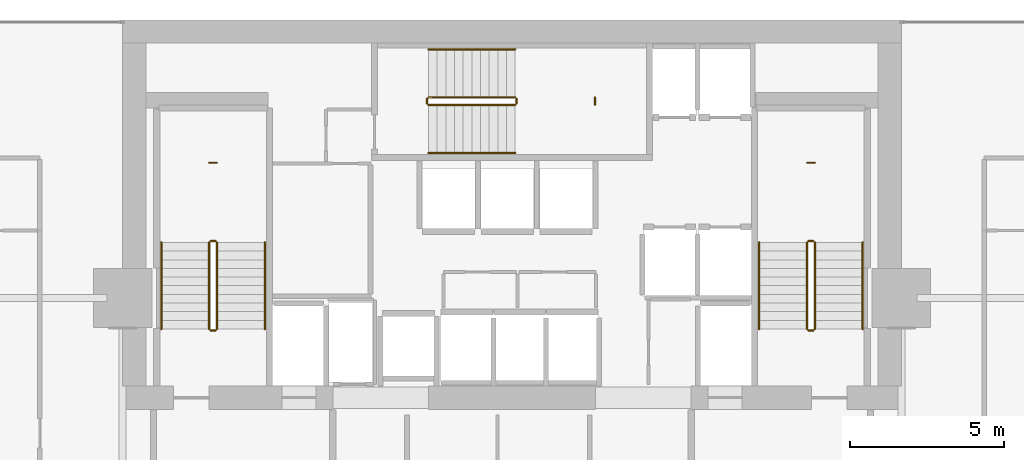
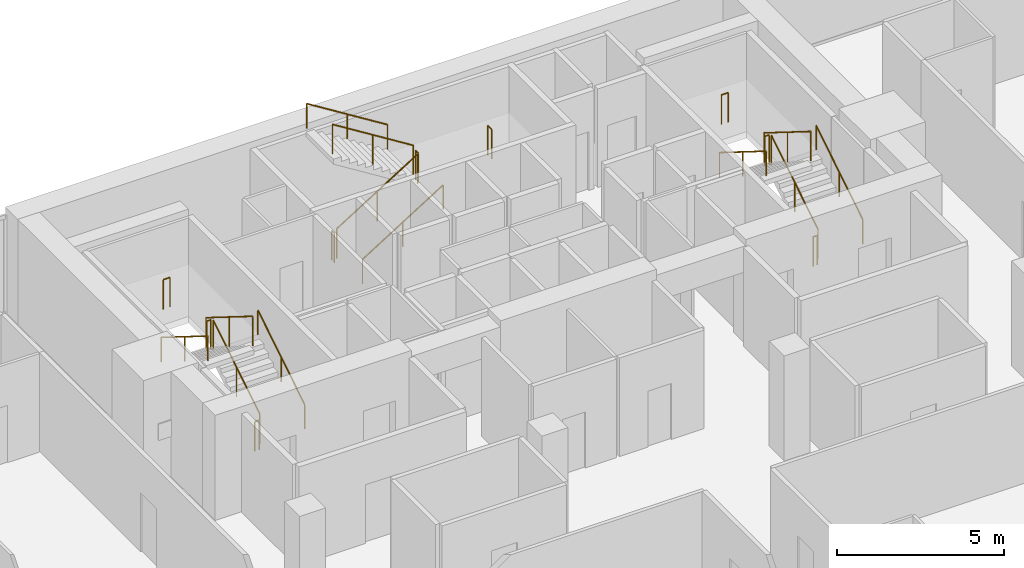
# One storey, part 33 of 33: 21 railings.
"""IFC4 building model written with IfcOpenShell, lengths in metres."""

from ifc_helpers import new_model, si_unit, direction, frame, origin, origin_2d, place, context, subcontext, project, spatial, circle, extrude, material, type_object, element, save


model = new_model("IFC4")

# Units and contexts
model_context = context("Model", 3, precision=1e-05, world=origin(), true_north=direction((0.0, 1.0)))
body_context = subcontext(model_context, "Body", "Model", "MODEL_VIEW")
ifc_project = project(units=[si_unit("LENGTHUNIT", "METRE"), si_unit("AREAUNIT", "SQUARE_METRE"), si_unit("VOLUMEUNIT", "CUBIC_METRE"), si_unit("PLANEANGLEUNIT", "RADIAN"), si_unit("MASSUNIT", "GRAM", prefix="KILO")], contexts=[model_context])

# Site, building, storey
site_placement = place(None, origin())
site = spatial("IfcSite", under=ifc_project, at=site_placement, CompositionType="ELEMENT")
building_placement = place(site_placement, origin())
building = spatial("IfcBuilding", under=site, at=building_placement, Name="Maruvema Waterfront Hotel and Observation Tower", CompositionType="ELEMENT")
storey_placement = place(building_placement, frame((0.0, 0.0, 169.75)))
storey = spatial("IfcBuildingStorey", under=building, at=storey_placement, Name="L41", CompositionType="ELEMENT", Elevation=169.75)

# Railings
ifc_material_1 = material(Name="Brushed stainless steel Grade 316", Category="steel")
railing_type_1 = type_object("IfcRailingType", Name="Ramp Continuous Wall Handrail 920 mm", PredefinedType="HANDRAIL", material=ifc_material_1)
railing_1_placement = place(storey_placement, frame((29.800048828125, 44.0, 0.175048828125)))
element("IfcRailing", 1, at=railing_1_placement, inside=storey, type_object=railing_type_1, Name="L41 ST-01 stair handrail 1", PredefinedType="HANDRAIL", context=body_context, shape_type="SweptSolid", body=[
    extrude(circle(Radius=0.02392578125, at=origin_2d()), frame((0.0, 0.0, 0.89599609375), z_axis=(0.0, 0.848002457836, 0.529992293815), x_axis=(-1.0, 0.0, 0.0)), (0.0, 0.0, 1.0), 3.302001953125),
    extrude(circle(Radius=0.02099609375, at=origin_2d()), origin(), (0.0, 0.0, 1.0), 0.871826171875),
    extrude(circle(Radius=0.02099609375, at=origin_2d()), frame((0.0, 1.39990234375, 0.875)), (0.0, 0.0, 1.0), 0.871826171875),
    extrude(circle(Radius=0.02099609375, at=origin_2d()), frame((0.0, 2.800048828125, 1.75)), (0.0, 0.0, 1.0), 0.871826171875),
])
railing_2_placement = place(storey_placement, frame((26.449951171875, 46.800048828125, 2.10009765625)))
element("IfcRailing", 2, at=railing_2_placement, inside=storey, type_object=railing_type_1, Name="L41 ST-01 stair handrail 2", PredefinedType="HANDRAIL", context=body_context, shape_type="SweptSolid", body=[
    extrude(circle(Radius=0.02392578125, at=origin_2d()), frame((0.0, 0.0, 0.89599609375), z_axis=(0.0, -0.848002457836, 0.529992293815), x_axis=(1.0, 0.0, 0.0)), (0.0, 0.0, 1.0), 3.302001953125),
    extrude(circle(Radius=0.02099609375, at=origin_2d()), origin(), (0.0, 0.0, 1.0), 0.871826171875),
    extrude(circle(Radius=0.02099609375, at=origin_2d()), frame((0.0, -1.39990234375, 0.875)), (0.0, 0.0, 1.0), 0.871826171875),
    extrude(circle(Radius=0.02099609375, at=origin_2d()), frame((0.0, -2.800048828125, 1.75)), (0.0, 0.0, 1.0), 0.871826171875),
])
railing_3_placement = place(storey_placement, frame((35.10009765625, 49.699951171875, 0.175048828125)))
element("IfcRailing", 3, at=railing_3_placement, inside=storey, type_object=railing_type_1, Name="L41 ST-02 stair handrail 1", PredefinedType="HANDRAIL", context=body_context, shape_type="SweptSolid", body=[
    extrude(circle(Radius=0.02392578125, at=origin_2d()), frame((0.0, 0.0, 0.89599609375), z_axis=(0.847981687118, 0.0, 0.530025526095), x_axis=(0.0, 1.0, 0.0)), (0.0, 0.0, 1.0), 3.3017578125),
    extrude(circle(Radius=0.02099609375, at=origin_2d()), origin(), (0.0, 0.0, 1.0), 0.871826171875),
    extrude(circle(Radius=0.02099609375, at=origin_2d()), frame((1.39990234375, 0.0, 0.875)), (0.0, 0.0, 1.0), 0.871826171875),
    extrude(circle(Radius=0.02099609375, at=origin_2d()), frame((2.7998046875, 0.0, 1.75)), (0.0, 0.0, 1.0), 0.871826171875),
])
railing_4_placement = place(storey_placement, frame((37.89990234375, 53.050048828125, 2.10009765625)))
element("IfcRailing", 4, at=railing_4_placement, inside=storey, type_object=railing_type_1, Name="L41 ST-02 stair handrail 2", PredefinedType="HANDRAIL", context=body_context, shape_type="SweptSolid", body=[
    extrude(circle(Radius=0.02392578125, at=origin_2d()), frame((0.0, 0.0, 0.89599609375), z_axis=(-0.847981687118, 0.0, 0.530025526095), x_axis=(0.0, -1.0, 0.0)), (0.0, 0.0, 1.0), 3.3017578125),
    extrude(circle(Radius=0.02099609375, at=origin_2d()), origin(), (0.0, 0.0, 1.0), 0.871826171875),
    extrude(circle(Radius=0.02099609375, at=origin_2d()), frame((-1.39990234375, 0.0, 0.875)), (0.0, 0.0, 1.0), 0.871826171875),
    extrude(circle(Radius=0.02099609375, at=origin_2d()), frame((-2.7998046875, 0.0, 1.75)), (0.0, 0.0, 1.0), 0.871826171875),
])
railing_5_placement = place(storey_placement, frame((49.14990234375, 44.0, 0.175048828125)))
element("IfcRailing", 5, at=railing_5_placement, inside=storey, type_object=railing_type_1, Name="L41 ST-03 stair handrail 1", PredefinedType="HANDRAIL", context=body_context, shape_type="SweptSolid", body=[
    extrude(circle(Radius=0.02392578125, at=origin_2d()), frame((0.0, 0.0, 0.89599609375), z_axis=(0.0, 0.848002457836, 0.529992293815), x_axis=(-1.0, 0.0, 0.0)), (0.0, 0.0, 1.0), 3.302001953125),
    extrude(circle(Radius=0.02099609375, at=origin_2d()), origin(), (0.0, 0.0, 1.0), 0.871826171875),
    extrude(circle(Radius=0.02099609375, at=origin_2d()), frame((0.0, 1.39990234375, 0.875)), (0.0, 0.0, 1.0), 0.871826171875),
    extrude(circle(Radius=0.02099609375, at=origin_2d()), frame((0.0, 2.800048828125, 1.75)), (0.0, 0.0, 1.0), 0.871826171875),
])
railing_6_placement = place(storey_placement, frame((45.800048828125, 46.800048828125, 2.10009765625)))
element("IfcRailing", 6, at=railing_6_placement, inside=storey, type_object=railing_type_1, Name="L41 ST-03 stair handrail 2", PredefinedType="HANDRAIL", context=body_context, shape_type="SweptSolid", body=[
    extrude(circle(Radius=0.02392578125, at=origin_2d()), frame((0.0, 0.0, 0.89599609375), z_axis=(0.0, -0.848002457836, 0.529992293815), x_axis=(1.0, 0.0, 0.0)), (0.0, 0.0, 1.0), 3.302001953125),
    extrude(circle(Radius=0.02099609375, at=origin_2d()), origin(), (0.0, 0.0, 1.0), 0.871826171875),
    extrude(circle(Radius=0.02099609375, at=origin_2d()), frame((0.0, -1.39990234375, 0.875)), (0.0, 0.0, 1.0), 0.871826171875),
    extrude(circle(Radius=0.02099609375, at=origin_2d()), frame((0.0, -2.800048828125, 1.75)), (0.0, 0.0, 1.0), 0.871826171875),
])
ifc_material_2 = material(Name="Brushed stainless steel Grade 316", Category="steel")
railing_type_2 = type_object("IfcRailingType", Name="Ramp and Terrace Guard Balustrade 1100 mm", PredefinedType="BALUSTRADE", material=ifc_material_2)
railing_7_placement = place(storey_placement, frame((28.25, 44.0, 0.175048828125)))
element("IfcRailing", 7, at=railing_7_placement, inside=storey, type_object=railing_type_2, Name="L41 ST-01 stair guard 1", PredefinedType="BALUSTRADE", context=body_context, shape_type="SweptSolid", body=[
    extrude(circle(Radius=0.02392578125, at=origin_2d()), frame((0.0, 0.0, 1.076171875), z_axis=(0.0, 0.848002457836, 0.529992293815), x_axis=(-1.0, 0.0, 0.0)), (0.0, 0.0, 1.0), 3.302001953125),
    extrude(circle(Radius=0.02099609375, at=origin_2d()), origin(), (0.0, 0.0, 1.0), 1.052001953125),
    extrude(circle(Radius=0.02099609375, at=origin_2d()), frame((0.0, 1.39990234375, 0.875)), (0.0, 0.0, 1.0), 1.052001953125),
    extrude(circle(Radius=0.02099609375, at=origin_2d()), frame((0.0, 2.800048828125, 1.75)), (0.0, 0.0, 1.0), 1.052001953125),
])
railing_8_placement = place(storey_placement, frame((28.199951171875, 46.85009765625, 1.925048828125)))
element("IfcRailing", 8, at=railing_8_placement, inside=storey, type_object=railing_type_2, Name="L41 ST-01 stair guard 2", PredefinedType="BALUSTRADE", context=body_context, shape_type="SweptSolid", body=[
    extrude(circle(Radius=0.02392578125, at=origin_2d()), frame((0.0, 0.0, 1.076171875), z_axis=(-1.0, 0.0, 0.0), x_axis=(0.0, -1.0, 0.0)), (0.0, 0.0, 1.0), 0.14990234375),
    extrude(circle(Radius=0.02099609375, at=origin_2d()), origin(), (0.0, 0.0, 1.0), 1.052001953125),
    extrude(circle(Radius=0.02099609375, at=origin_2d()), frame((-0.14990234375, 0.0, 0.0)), (0.0, 0.0, 1.0), 1.052001953125),
])
railing_9_placement = place(storey_placement, frame((28.0, 46.800048828125, 2.10009765625)))
element("IfcRailing", 9, at=railing_9_placement, inside=storey, type_object=railing_type_2, Name="L41 ST-01 stair guard 3", PredefinedType="BALUSTRADE", context=body_context, shape_type="SweptSolid", body=[
    extrude(circle(Radius=0.02392578125, at=origin_2d()), frame((0.0, 0.0, 1.076171875), z_axis=(0.0, -0.848002457836, 0.529992293815), x_axis=(1.0, 0.0, 0.0)), (0.0, 0.0, 1.0), 3.302001953125),
    extrude(circle(Radius=0.02099609375, at=origin_2d()), origin(), (0.0, 0.0, 1.0), 1.052001953125),
    extrude(circle(Radius=0.02099609375, at=origin_2d()), frame((0.0, -1.39990234375, 0.875)), (0.0, 0.0, 1.0), 1.052001953125),
    extrude(circle(Radius=0.02099609375, at=origin_2d()), frame((0.0, -2.800048828125, 1.75)), (0.0, 0.0, 1.0), 1.052001953125),
])
railing_10_placement = place(storey_placement, frame((28.199951171875, 43.949951171875, 0.0)))
element("IfcRailing", 10, at=railing_10_placement, inside=storey, type_object=railing_type_2, Name="L41 ST-01 stair guard 4", PredefinedType="BALUSTRADE", context=body_context, shape_type="SweptSolid", body=[
    extrude(circle(Radius=0.02392578125, at=origin_2d()), frame((0.0, 0.0, 1.076171875), z_axis=(-1.0, 0.0, 0.0), x_axis=(0.0, -1.0, 0.0)), (0.0, 0.0, 1.0), 0.14990234375),
    extrude(circle(Radius=0.02099609375, at=origin_2d()), origin(), (0.0, 0.0, 1.0), 1.052001953125),
    extrude(circle(Radius=0.02099609375, at=origin_2d()), frame((-0.14990234375, 0.0, 0.0)), (0.0, 0.0, 1.0), 1.052001953125),
])
railing_11_placement = place(storey_placement, frame((28.239990234375, 49.3798828125, 1.925048828125)))
element("IfcRailing", 11, at=railing_11_placement, inside=storey, type_object=railing_type_2, Name="L41 ST-01 Half-Landing Slot Guard", PredefinedType="BALUSTRADE", context=body_context, shape_type="SweptSolid", body=[
    extrude(circle(Radius=0.02392578125, at=origin_2d()), frame((0.0, 0.0, 1.076171875), z_axis=(-1.0, 0.0, 0.0), x_axis=(0.0, -1.0, 0.0)), (0.0, 0.0, 1.0), 0.22998046875),
    extrude(circle(Radius=0.02099609375, at=origin_2d()), origin(), (0.0, 0.0, 1.0), 1.052001953125),
    extrude(circle(Radius=0.02099609375, at=origin_2d()), frame((-0.22998046875, 0.0, 0.0)), (0.0, 0.0, 1.0), 1.052001953125),
])
railing_12_placement = place(storey_placement, frame((35.10009765625, 51.25, 0.175048828125)))
element("IfcRailing", 12, at=railing_12_placement, inside=storey, type_object=railing_type_2, Name="L41 ST-02 stair guard 1", PredefinedType="BALUSTRADE", context=body_context, shape_type="SweptSolid", body=[
    extrude(circle(Radius=0.02392578125, at=origin_2d()), frame((0.0, 0.0, 1.076171875), z_axis=(0.847981687118, 0.0, 0.530025526095), x_axis=(0.0, 1.0, 0.0)), (0.0, 0.0, 1.0), 3.3017578125),
    extrude(circle(Radius=0.02099609375, at=origin_2d()), origin(), (0.0, 0.0, 1.0), 1.052001953125),
    extrude(circle(Radius=0.02099609375, at=origin_2d()), frame((1.39990234375, 0.0, 0.875)), (0.0, 0.0, 1.0), 1.052001953125),
    extrude(circle(Radius=0.02099609375, at=origin_2d()), frame((2.7998046875, 0.0, 1.75)), (0.0, 0.0, 1.0), 1.052001953125),
])
railing_13_placement = place(storey_placement, frame((37.949951171875, 51.300048828125, 1.925048828125)))
element("IfcRailing", 13, at=railing_13_placement, inside=storey, type_object=railing_type_2, Name="L41 ST-02 stair guard 2", PredefinedType="BALUSTRADE", context=body_context, shape_type="SweptSolid", body=[
    extrude(circle(Radius=0.02392578125, at=origin_2d()), frame((0.0, 0.0, 1.076171875), z_axis=(0.0, 1.0, 0.0), x_axis=(-1.0, 0.0, 0.0)), (0.0, 0.0, 1.0), 0.14990234375),
    extrude(circle(Radius=0.02099609375, at=origin_2d()), origin(), (0.0, 0.0, 1.0), 1.052001953125),
    extrude(circle(Radius=0.02099609375, at=origin_2d()), frame((0.0, 0.14990234375, 0.0)), (0.0, 0.0, 1.0), 1.052001953125),
])
railing_14_placement = place(storey_placement, frame((37.89990234375, 51.5, 2.10009765625)))
element("IfcRailing", 14, at=railing_14_placement, inside=storey, type_object=railing_type_2, Name="L41 ST-02 stair guard 3", PredefinedType="BALUSTRADE", context=body_context, shape_type="SweptSolid", body=[
    extrude(circle(Radius=0.02392578125, at=origin_2d()), frame((0.0, 0.0, 1.076171875), z_axis=(-0.847981687118, 0.0, 0.530025526095), x_axis=(0.0, -1.0, 0.0)), (0.0, 0.0, 1.0), 3.3017578125),
    extrude(circle(Radius=0.02099609375, at=origin_2d()), origin(), (0.0, 0.0, 1.0), 1.052001953125),
    extrude(circle(Radius=0.02099609375, at=origin_2d()), frame((-1.39990234375, 0.0, 0.875)), (0.0, 0.0, 1.0), 1.052001953125),
    extrude(circle(Radius=0.02099609375, at=origin_2d()), frame((-2.7998046875, 0.0, 1.75)), (0.0, 0.0, 1.0), 1.052001953125),
])
railing_15_placement = place(storey_placement, frame((35.050048828125, 51.300048828125, 0.0)))
element("IfcRailing", 15, at=railing_15_placement, inside=storey, type_object=railing_type_2, Name="L41 ST-02 stair guard 4", PredefinedType="BALUSTRADE", context=body_context, shape_type="SweptSolid", body=[
    extrude(circle(Radius=0.02392578125, at=origin_2d()), frame((0.0, 0.0, 1.076171875), z_axis=(0.0, 1.0, 0.0), x_axis=(-1.0, 0.0, 0.0)), (0.0, 0.0, 1.0), 0.14990234375),
    extrude(circle(Radius=0.02099609375, at=origin_2d()), origin(), (0.0, 0.0, 1.0), 1.052001953125),
    extrude(circle(Radius=0.02099609375, at=origin_2d()), frame((0.0, 0.14990234375, 0.0)), (0.0, 0.0, 1.0), 1.052001953125),
])
railing_16_placement = place(storey_placement, frame((40.47998046875, 51.260009765625, 1.925048828125)))
element("IfcRailing", 16, at=railing_16_placement, inside=storey, type_object=railing_type_2, Name="L41 ST-02 Half-Landing Slot Guard", PredefinedType="BALUSTRADE", context=body_context, shape_type="SweptSolid", body=[
    extrude(circle(Radius=0.02392578125, at=origin_2d()), frame((0.0, 0.0, 1.076171875), z_axis=(0.0, 1.0, 0.0), x_axis=(-1.0, 0.0, 0.0)), (0.0, 0.0, 1.0), 0.22998046875),
    extrude(circle(Radius=0.02099609375, at=origin_2d()), origin(), (0.0, 0.0, 1.0), 1.052001953125),
    extrude(circle(Radius=0.02099609375, at=origin_2d()), frame((0.0, 0.22998046875, 0.0)), (0.0, 0.0, 1.0), 1.052001953125),
])
railing_17_placement = place(storey_placement, frame((47.60009765625, 44.0, 0.175048828125)))
element("IfcRailing", 17, at=railing_17_placement, inside=storey, type_object=railing_type_2, Name="L41 ST-03 stair guard 1", PredefinedType="BALUSTRADE", context=body_context, shape_type="SweptSolid", body=[
    extrude(circle(Radius=0.02392578125, at=origin_2d()), frame((0.0, 0.0, 1.076171875), z_axis=(0.0, 0.848002457836, 0.529992293815), x_axis=(-1.0, 0.0, 0.0)), (0.0, 0.0, 1.0), 3.302001953125),
    extrude(circle(Radius=0.02099609375, at=origin_2d()), origin(), (0.0, 0.0, 1.0), 1.052001953125),
    extrude(circle(Radius=0.02099609375, at=origin_2d()), frame((0.0, 1.39990234375, 0.875)), (0.0, 0.0, 1.0), 1.052001953125),
    extrude(circle(Radius=0.02099609375, at=origin_2d()), frame((0.0, 2.800048828125, 1.75)), (0.0, 0.0, 1.0), 1.052001953125),
])
railing_18_placement = place(storey_placement, frame((47.550048828125, 46.85009765625, 1.925048828125)))
element("IfcRailing", 18, at=railing_18_placement, inside=storey, type_object=railing_type_2, Name="L41 ST-03 stair guard 2", PredefinedType="BALUSTRADE", context=body_context, shape_type="SweptSolid", body=[
    extrude(circle(Radius=0.02392578125, at=origin_2d()), frame((0.0, 0.0, 1.076171875), z_axis=(-1.0, 0.0, 0.0), x_axis=(0.0, -1.0, 0.0)), (0.0, 0.0, 1.0), 0.150146484375),
    extrude(circle(Radius=0.02099609375, at=origin_2d()), origin(), (0.0, 0.0, 1.0), 1.052001953125),
    extrude(circle(Radius=0.02099609375, at=origin_2d()), frame((-0.150146484375, 0.0, 0.0)), (0.0, 0.0, 1.0), 1.052001953125),
])
railing_19_placement = place(storey_placement, frame((47.35009765625, 46.800048828125, 2.10009765625)))
element("IfcRailing", 19, at=railing_19_placement, inside=storey, type_object=railing_type_2, Name="L41 ST-03 stair guard 3", PredefinedType="BALUSTRADE", context=body_context, shape_type="SweptSolid", body=[
    extrude(circle(Radius=0.02392578125, at=origin_2d()), frame((0.0, 0.0, 1.076171875), z_axis=(0.0, -0.848002457836, 0.529992293815), x_axis=(1.0, 0.0, 0.0)), (0.0, 0.0, 1.0), 3.302001953125),
    extrude(circle(Radius=0.02099609375, at=origin_2d()), origin(), (0.0, 0.0, 1.0), 1.052001953125),
    extrude(circle(Radius=0.02099609375, at=origin_2d()), frame((0.0, -1.39990234375, 0.875)), (0.0, 0.0, 1.0), 1.052001953125),
    extrude(circle(Radius=0.02099609375, at=origin_2d()), frame((0.0, -2.800048828125, 1.75)), (0.0, 0.0, 1.0), 1.052001953125),
])
railing_20_placement = place(storey_placement, frame((47.550048828125, 43.949951171875, 0.0)))
element("IfcRailing", 20, at=railing_20_placement, inside=storey, type_object=railing_type_2, Name="L41 ST-03 stair guard 4", PredefinedType="BALUSTRADE", context=body_context, shape_type="SweptSolid", body=[
    extrude(circle(Radius=0.02392578125, at=origin_2d()), frame((0.0, 0.0, 1.076171875), z_axis=(-1.0, 0.0, 0.0), x_axis=(0.0, -1.0, 0.0)), (0.0, 0.0, 1.0), 0.150146484375),
    extrude(circle(Radius=0.02099609375, at=origin_2d()), origin(), (0.0, 0.0, 1.0), 1.052001953125),
    extrude(circle(Radius=0.02099609375, at=origin_2d()), frame((-0.150146484375, 0.0, 0.0)), (0.0, 0.0, 1.0), 1.052001953125),
])
railing_21_placement = place(storey_placement, frame((47.590087890625, 49.3798828125, 1.925048828125)))
element("IfcRailing", 21, at=railing_21_placement, inside=storey, type_object=railing_type_2, Name="L41 ST-03 Half-Landing Slot Guard", PredefinedType="BALUSTRADE", context=body_context, shape_type="SweptSolid", body=[
    extrude(circle(Radius=0.02392578125, at=origin_2d()), frame((0.0, 0.0, 1.076171875), z_axis=(-1.0, 0.0, 0.0), x_axis=(0.0, -1.0, 0.0)), (0.0, 0.0, 1.0), 0.22998046875),
    extrude(circle(Radius=0.02099609375, at=origin_2d()), origin(), (0.0, 0.0, 1.0), 1.052001953125),
    extrude(circle(Radius=0.02099609375, at=origin_2d()), frame((-0.22998046875, 0.0, 0.0)), (0.0, 0.0, 1.0), 1.052001953125),
])

save(model, "model.ifc")
